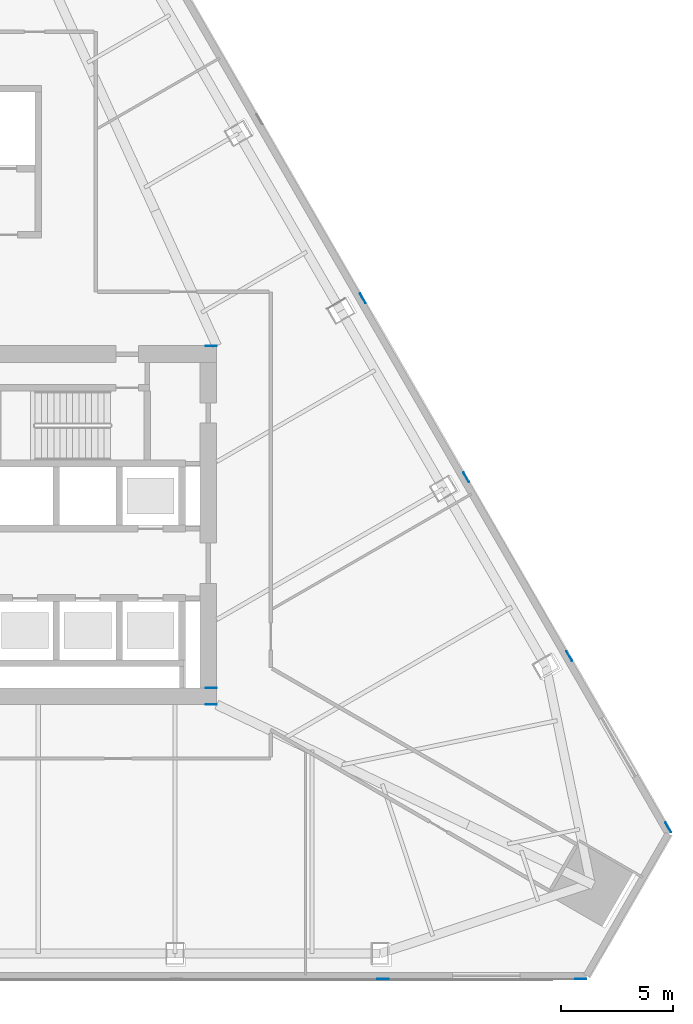
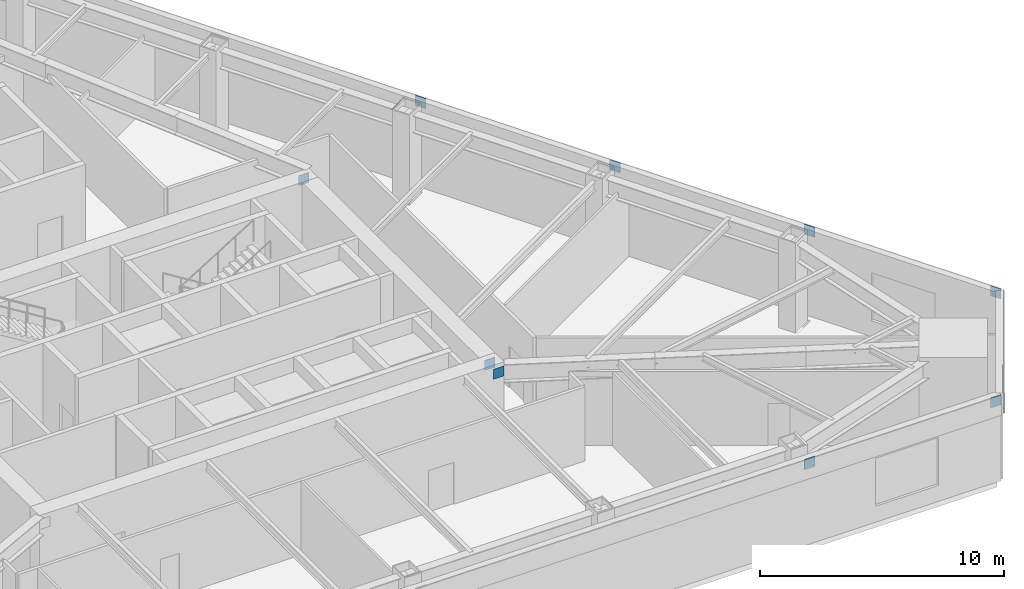
# One storey, part 11 of 14: 9 discrete accessories.
"""IFC4 building model written with IfcOpenShell, lengths in metres."""

from ifc_helpers import new_model, si_unit, direction, frame, origin, origin_2d, place, context, subcontext, project, spatial, rectangle, extrude, material, layer, layer_set, type_object, element, save


model = new_model("IFC4")

# Units and contexts
model_context = context("Model", 3, precision=1e-05, world=origin(), true_north=direction((0.0, 1.0)))
body_context = subcontext(model_context, "Body", "Model", "MODEL_VIEW")
ifc_project = project(units=[si_unit("LENGTHUNIT", "METRE"), si_unit("AREAUNIT", "SQUARE_METRE"), si_unit("VOLUMEUNIT", "CUBIC_METRE"), si_unit("PLANEANGLEUNIT", "RADIAN"), si_unit("MASSUNIT", "GRAM", prefix="KILO")], contexts=[model_context])

# Site, building, storey
site_placement = place(None, origin())
site = spatial("IfcSite", under=ifc_project, at=site_placement, CompositionType="ELEMENT")
building_placement = place(site_placement, origin())
building = spatial("IfcBuilding", under=site, at=building_placement, Name="Firuza Gate Tower and Library", CompositionType="ELEMENT")
storey_placement = place(building_placement, frame((0.0, 0.0, 151.300048828125)))
storey = spatial("IfcBuildingStorey", under=building, at=storey_placement, Name="L34", CompositionType="ELEMENT", Elevation=151.300048828125)

# Discrete accessories
ifc_material = material(Name="Steel S355", Category="steel")
ifc_layer = layer(ifc_material, 0.02490234375)
ifc_layer_set = layer_set([ifc_layer], Name="Cast-in anchor plate 500x500x25 Steel S355")
discrete_accessory_type = type_object("IfcDiscreteAccessoryType", Name="Cast-in anchor plate 500x500x25 Steel S355", PredefinedType="BRACKET", material=ifc_layer_set)
for number, where, z_axis, x_axis, name in (
    (1, (93.41357421875, 54.78173828125, 3.800048828125), (0.0, 0.0, 1.0), (1.0, 0.0, 0.0), "Cast-in anchor plate"),
    (2, (101.71630859375, 69.16259765625, 3.800048828125), (0.0, 0.0, 1.0), (-0.5, 0.866025403784, 0.0), "Cast-in anchor plate"),
    (3, (97.11279296875, 77.1357421875, 3.800048828125), (0.0, 0.0, 1.0), (-0.5, 0.866025403784, 0.0), "Cast-in anchor plate"),
    (4, (92.509521484375, 85.109130859375, 3.800048828125), (0.0, 0.0, 1.0), (-0.5, 0.866025403784, 0.0), "Cast-in anchor plate"),
    (5, (102.22705078125, 54.78173828125, 3.800048828125), (0.0, 0.0, 1.0), (1.0, 0.0, 0.0), "Cast-in anchor plate"),
    (6, (106.123046875, 61.52978515625, 3.800048828125), (0.0, 0.0, 1.0), (-0.5, 0.866025403784, 0.0), "Cast-in anchor plate"),
    (7, (85.75, 82.987548828125, 3.593994140625), (0.0, 0.0, 1.0), (1.0, 0.0, 0.0), "Cast-in anchor plate"),
    (8, (85.75, 67.012451171875, 3.593994140625), (0.0, 0.0, 1.0), (1.0, 0.0, 0.0), "Cast-in anchor plate"),
    (9, (85.75, 67.737548828125, 3.593994140625), (0.0, 0.0, 1.0), (1.0, 0.0, 0.0), "Cast-in anchor plate"),
):
    element("IfcDiscreteAccessory", number, at=place(storey_placement, frame(where, z_axis=z_axis, x_axis=x_axis)), inside=storey, type_object=discrete_accessory_type, Name=name, PredefinedType="BRACKET", context=body_context, shape_type="SweptSolid", body=[
        extrude(rectangle(XDim=0.5, YDim=0.02490234375, at=origin_2d()), origin(), (0.0, 0.0, 1.0), 0.5),
    ])

save(model, "model.ifc")
